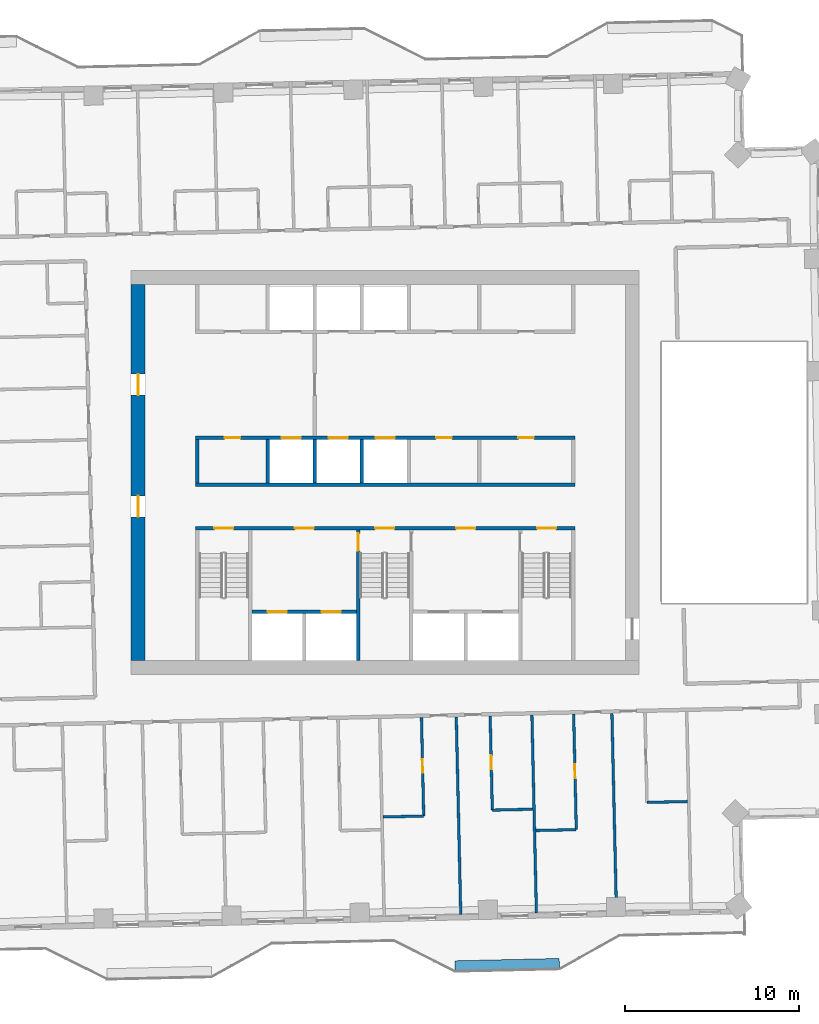
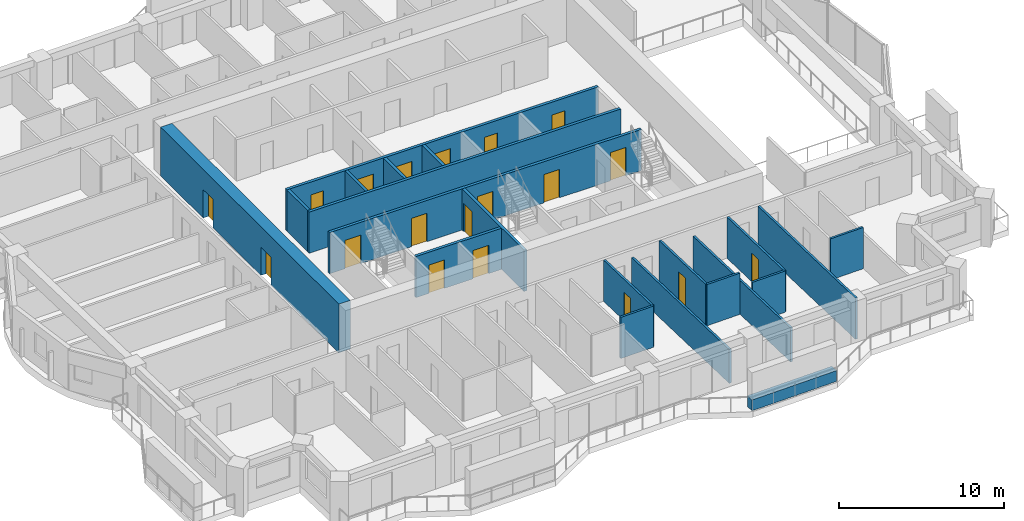
# One storey, part 8 of 16: 21 walls, 19 doors, 19 openings.
"""IFC4 building model written with IfcOpenShell, lengths in metres."""

import ifcopenshell
import ifcopenshell.guid

model = None  # the IFC model being written
_history = None  # IfcOwnerHistory: only IFC2X3 demands one
_inside = {}  # id of a spatial element -> (the spatial element, [elements in it])
_under = {}  # id of a project, library or spatial element -> (it, [spatial elements below it])
_declared = {}  # id of a project -> (the project, [libraries it declares])
_typed = {}  # id of a type object -> (the type object, [elements of that type])
_made_of = {}  # id of a material, layer set ... -> (it, [elements and type objects made of it])


def new_model(schema):
    """Start an empty IFC model of exactly this schema.

    Asked for "IFC4X3", IfcOpenShell would pick the latest addendum, in which some entities
    have other attributes; the version numbers below select the first issue.
    IFC2X3 requires an IfcOwnerHistory on every rooted entity: one is made here for all.
    """
    global model, _history
    if schema == "IFC4X3":
        model = ifcopenshell.file(schema_version=(4, 3, 0, 0))
    else:
        model = ifcopenshell.file(schema=schema)
    _inside.clear()
    _under.clear()
    _declared.clear()
    _typed.clear()
    _made_of.clear()
    _history = None
    if model.schema == "IFC2X3":
        org = make("IfcOrganization", Name="unknown")
        user = make(
            "IfcPersonAndOrganization",
            ThePerson=make("IfcPerson", FamilyName="unknown"),
            TheOrganization=org,
        )
        app = make(
            "IfcApplication",
            ApplicationDeveloper=org,
            Version="unknown",
            ApplicationFullName="unknown",
            ApplicationIdentifier="unknown",
        )
        _history = make(
            "IfcOwnerHistory",
            OwningUser=user,
            OwningApplication=app,
            ChangeAction="ADDED",
            CreationDate=0,
        )
    return model


def make(cls, **values):
    """One entity of the class cls with the attributes given. An attribute that is None is left unset."""
    return model.create_entity(
        cls, **{name: value for name, value in values.items() if value is not None}
    )


def rooted(cls, **values):
    """An entity with a GlobalId (a new one), such as an element, a storey or a relation."""
    return make(cls, GlobalId=ifcopenshell.guid.new(), OwnerHistory=_history, **values)


def si_unit(unit_type, name, prefix=None):
    """IfcSIUnit, for example si_unit("LENGTHUNIT", "METRE", prefix="MILLI")."""
    return make("IfcSIUnit", UnitType=unit_type, Prefix=prefix, Name=name)


def assignment(units):
    """IfcUnitAssignment: the units of a project."""
    return None if units is None else make("IfcUnitAssignment", Units=units)


def point(xyz):
    """IfcCartesianPoint."""
    return None if xyz is None else make("IfcCartesianPoint", Coordinates=xyz)


def direction(xyz):
    """IfcDirection."""
    return None if xyz is None else make("IfcDirection", DirectionRatios=xyz)


def frame(location, z_axis=None, x_axis=None):
    """IfcAxis2Placement3D, a coordinate frame: its origin and axes. An axis left out is left unset."""
    return make(
        "IfcAxis2Placement3D",
        Location=point(location),
        Axis=direction(z_axis),
        RefDirection=direction(x_axis),
    )


def frame_2d(location, x_axis=None):
    """IfcAxis2Placement2D, a coordinate frame in the plane: its origin and x axis."""
    return make(
        "IfcAxis2Placement2D", Location=point(location), RefDirection=direction(x_axis)
    )


def origin():
    """The frame at (0, 0, 0) with its axes left unset."""
    return frame((0.0, 0.0, 0.0))


def place(relative_to, where):
    """IfcLocalPlacement: puts the frame where relative to a parent placement (None: the world)."""
    return make(
        "IfcLocalPlacement", PlacementRelTo=relative_to, RelativePlacement=where
    )


def context(
    kind, dimensions, precision=None, world=None, true_north=None, identifier=None
):
    """IfcGeometricRepresentationContext, for example the 3D "Model" context."""
    return make(
        "IfcGeometricRepresentationContext",
        ContextIdentifier=identifier,
        ContextType=kind,
        CoordinateSpaceDimension=dimensions,
        Precision=precision,
        WorldCoordinateSystem=world,
        TrueNorth=true_north,
    )


def subcontext(parent, identifier, kind, view, scale=None):
    """IfcGeometricRepresentationSubContext, for example "Body" below "Model"."""
    return make(
        "IfcGeometricRepresentationSubContext",
        ContextIdentifier=identifier,
        ContextType=kind,
        ParentContext=parent,
        TargetScale=scale,
        TargetView=view,
    )


def project(units=None, contexts=None):
    """IfcProject with its units and contexts."""
    return rooted(
        "IfcProject",
        Name="project",
        RepresentationContexts=contexts,
        UnitsInContext=assignment(units),
    )


def spatial(cls, under=None, at=None, **own):
    """A site, building, storey or space (cls), placed at a placement, below another one or the project."""
    s = rooted(cls, ObjectPlacement=at, **own)
    if under is not None:
        _under.setdefault(under.id(), (under, []))[1].append(s)
    return s


def profile(cls, at=None, kind="AREA", **sizes):
    """A parametric profile (cls). Its sizes go by their IFC names, for example OverallWidth=200.0."""
    return make(cls, ProfileType=kind, Position=at, **sizes)


def rectangle(**sizes):
    """IfcRectangleProfileDef."""
    return profile("IfcRectangleProfileDef", **sizes)


def extrude(swept, where, along, depth):
    """IfcExtrudedAreaSolid: the profile swept, set in the frame where, extruded along a direction by depth."""
    return make(
        "IfcExtrudedAreaSolid",
        SweptArea=swept,
        Position=where,
        ExtrudedDirection=direction(along),
        Depth=depth,
    )


def shape(context_of_items, identifier, shape_type, items):
    """IfcShapeRepresentation: the items that make up one representation, for example the "Body"."""
    return make(
        "IfcShapeRepresentation",
        ContextOfItems=context_of_items,
        RepresentationIdentifier=identifier,
        RepresentationType=shape_type,
        Items=items,
    )


def material(Name=None, Category=None):
    """IfcMaterial."""
    return make("IfcMaterial", Name=Name, Category=Category)


def layer(
    of_material, thickness, ventilated=None, Name=None, Category=None, Priority=None
):
    """IfcMaterialLayer: one layer of a wall or slab, of a material (None: an air gap)."""
    return make(
        "IfcMaterialLayer",
        Material=of_material,
        LayerThickness=thickness,
        IsVentilated=ventilated,
        Name=Name,
        Category=Category,
        Priority=Priority,
    )


def layer_set(layers, Name=None):
    """IfcMaterialLayerSet."""
    return make("IfcMaterialLayerSet", MaterialLayers=layers, LayerSetName=Name)


def made_of(thing, what):
    """Note that an element or type object is made of a material, layer set ...; save() writes the relation."""
    if what is not None:
        _made_of.setdefault(what.id(), (what, []))[1].append(thing)
    return thing


def type_object(cls, material=None, **own):
    """A type object (cls), such as IfcWallType, which elements share."""
    return made_of(rooted(cls, **own), material)


def element(
    cls,
    number,
    at=None,
    inside=None,
    cuts=None,
    type_object=None,
    material=None,
    context=None,
    identifier="Body",
    shape_type=None,
    held_by="IfcProductDefinitionShape",
    body=None,
    shapes=None,
    **own,
):
    """One element of the class cls, such as IfcWall. Its Tag is "e" and its number.

    at: its placement. inside: the storey or other place that contains it. cuts: it is an
    opening in that element (IfcRelVoidsElement). A single representation is given by context,
    identifier, shape_type and body (its items); several are given by shapes. held_by: the class
    of the entity that holds the representations. save() writes the other relations.
    """
    e = rooted(cls, Tag="e%d" % number, ObjectPlacement=at, **own)
    if body is not None:
        shapes = [shape(context, identifier, shape_type, body)]
    if shapes is not None:
        e.Representation = make(held_by, Representations=shapes)
    if inside is not None:
        _inside.setdefault(inside.id(), (inside, []))[1].append(e)
    if cuts is not None:
        rooted(
            "IfcRelVoidsElement", RelatingBuildingElement=cuts, RelatedOpeningElement=e
        )
    if type_object is not None:
        _typed.setdefault(type_object.id(), (type_object, []))[1].append(e)
    return made_of(e, material)


def fill(opening, filler):
    """IfcRelFillsElement: the door or window that sits in an opening."""
    return rooted(
        "IfcRelFillsElement",
        RelatingOpeningElement=opening,
        RelatedBuildingElement=filler,
    )


def aggregate(whole, parts):
    """IfcRelAggregates: a whole, such as a stair, and the parts it consists of."""
    return rooted("IfcRelAggregates", RelatingObject=whole, RelatedObjects=parts)


def save(model, path):
    """Write the relations noted so far, then the file.

    IfcRelAggregates (storeys below a building ...), IfcRelContainedInSpatialStructure (elements
    in a storey), IfcRelDefinesByType, IfcRelAssociatesMaterial and IfcRelDeclares: one each for
    every whole, place, type object, material and project.
    """
    for whole, parts in _under.values():
        aggregate(whole, parts)
    for where, things in _inside.values():
        rooted(
            "IfcRelContainedInSpatialStructure",
            RelatedElements=things,
            RelatingStructure=where,
        )
    for kind, things in _typed.values():
        rooted("IfcRelDefinesByType", RelatedObjects=things, RelatingType=kind)
    for what, things in _made_of.values():
        rooted("IfcRelAssociatesMaterial", RelatedObjects=things, RelatingMaterial=what)
    for by, libraries in _declared.values():
        rooted("IfcRelDeclares", RelatingContext=by, RelatedDefinitions=libraries)
    model.write(path)


model = new_model("IFC4")

# Units and contexts
model_context = context("Model", 3, precision=1e-05, world=origin(), true_north=direction((0.0, 1.0)))
body_context = subcontext(model_context, "Body", "Model", "MODEL_VIEW")
ifc_project = project(units=[si_unit("LENGTHUNIT", "METRE"), si_unit("AREAUNIT", "SQUARE_METRE"), si_unit("VOLUMEUNIT", "CUBIC_METRE"), si_unit("PLANEANGLEUNIT", "RADIAN"), si_unit("MASSUNIT", "GRAM", prefix="KILO")], contexts=[model_context])

# Site, building, storey
site_placement = place(None, origin())
site = spatial("IfcSite", under=ifc_project, at=site_placement, CompositionType="ELEMENT")
building_placement = place(site_placement, origin())
building = spatial("IfcBuilding", under=site, at=building_placement, Name="Mangrove Gate Tower", CompositionType="ELEMENT")
storey_placement = place(building_placement, frame((0.0, 0.0, 231.10009765625)))
storey = spatial("IfcBuildingStorey", under=building, at=storey_placement, Name="L58", CompositionType="ELEMENT", Elevation=231.10009765625)

# Walls
ifc_material_1 = material(Name="Concrete C32/40", Category="concrete")
ifc_layer_1 = layer(ifc_material_1, 0.199951171875)
ifc_layer_set_1 = layer_set([ifc_layer_1], Name="Core room wall 200 C32/40")
wall_type_1 = type_object("IfcWallType", Name="Core room wall 200 C32/40", PredefinedType="STANDARD", material=ifc_layer_set_1)
wall_1_placement = place(storey_placement, frame((-10.800048828125, -0.60009765625, 0.0), z_axis=(0.0, 0.0, 1.0), x_axis=(0.0, 1.0, 0.0)))
element("IfcWall", 1, at=wall_1_placement, inside=storey, type_object=wall_type_1, Name="WALL-L58-CORE-19", PredefinedType="STANDARD", context=body_context, shape_type="SweptSolid", body=[
    extrude(rectangle(XDim=2.5, YDim=0.199951171875, at=frame_2d((1.25, 0.0))), origin(), (0.0, 0.0, 1.0), 3.0498046875),
])
ifc_material_2 = material(Name="Concrete C60/75", Category="concrete")
ifc_layer_2 = layer(ifc_material_2, 0.199951171875)
ifc_layer_set_2 = layer_set([ifc_layer_2], Name="Core shaft wall 200 C60/75")
wall_type_2 = type_object("IfcWallType", Name="Core shaft wall 200 C60/75", PredefinedType="SHEAR", material=ifc_layer_set_2)
wall_2_placement = place(storey_placement, frame((-10.89990234375, -0.699951171875, 0.0), z_axis=(0.0, 0.0, 1.0), x_axis=(1.0, 0.0, 0.0)))
element("IfcWall", 2, at=wall_2_placement, inside=storey, type_object=wall_type_2, Name="WALL-L58-CORE-6", PredefinedType="SHEAR", context=body_context, shape_type="SweptSolid", body=[
    extrude(rectangle(XDim=21.7998046875, YDim=0.199951171875, at=frame_2d((10.89990234375, 0.0))), origin(), (0.0, 0.0, 1.0), 3.0498046875),
])

# Wall, openings, doors
wall_3_placement = place(storey_placement, frame((-10.89990234375, 2.0, 0.0), z_axis=(0.0, 0.0, 1.0), x_axis=(1.0, 0.0, 0.0)))
wall_3 = element("IfcWall", 3, at=wall_3_placement, inside=storey, type_object=wall_type_2, Name="WALL-L58-CORE-7", PredefinedType="SHEAR", context=body_context, shape_type="SweptSolid", body=[
    extrude(rectangle(XDim=21.7998046875, YDim=0.199951171875, at=frame_2d((10.89990234375, 0.0))), origin(), (0.0, 0.0, 1.0), 3.0498046875),
])
opening_1_placement = place(wall_3_placement, frame((4.949951171875, 0.0, 0.0)))
opening_1 = element("IfcOpeningElement", 4, at=opening_1_placement, cuts=wall_3, Name="Opening LD", PredefinedType="OPENING", context=body_context, shape_type="SweptSolid", body=[
    extrude(rectangle(XDim=1.10009765625, YDim=2.10009765625, at=frame_2d((0.550048828125, 1.050048828125))), frame((0.0, 0.10986328125, 0.0), z_axis=(0.0, -1.0, 0.0), x_axis=(1.0, 0.0, 0.0)), (0.0, 0.0, 1.0), 0.219970703125),
])
opening_2_placement = place(wall_3_placement, frame((7.64990234375, 0.0, 0.0)))
opening_2 = element("IfcOpeningElement", 5, at=opening_2_placement, cuts=wall_3, Name="Opening LD", PredefinedType="OPENING", context=body_context, shape_type="SweptSolid", body=[
    extrude(rectangle(XDim=1.10009765625, YDim=2.10009765625, at=frame_2d((0.550048828125, 1.050048828125))), frame((0.0, 0.10986328125, 0.0), z_axis=(0.0, -1.0, 0.0), x_axis=(1.0, 0.0, 0.0)), (0.0, 0.0, 1.0), 0.219970703125),
])
opening_3_placement = place(wall_3_placement, frame((10.35009765625, 0.0, 0.0)))
opening_3 = element("IfcOpeningElement", 6, at=opening_3_placement, cuts=wall_3, Name="Opening LD", PredefinedType="OPENING", context=body_context, shape_type="SweptSolid", body=[
    extrude(rectangle(XDim=1.10009765625, YDim=2.10009765625, at=frame_2d((0.550048828125, 1.050048828125))), frame((0.0, 0.10986328125, 0.0), z_axis=(0.0, -1.0, 0.0), x_axis=(1.0, 0.0, 0.0)), (0.0, 0.0, 1.0), 0.219970703125),
])
opening_4_placement = place(wall_3_placement, frame((1.675048828125, 0.0, 0.0)))
opening_4 = element("IfcOpeningElement", 7, at=opening_4_placement, cuts=wall_3, Name="Opening RD", PredefinedType="OPENING", context=body_context, shape_type="SweptSolid", body=[
    extrude(rectangle(XDim=0.89990234375, YDim=2.10009765625, at=frame_2d((0.449951171875, 1.050048828125))), frame((0.0, 0.10986328125, 0.0), z_axis=(0.0, -1.0, 0.0), x_axis=(1.0, 0.0, 0.0)), (0.0, 0.0, 1.0), 0.219970703125),
])
opening_5_placement = place(wall_3_placement, frame((13.824951171875, 0.0, 0.0)))
opening_5 = element("IfcOpeningElement", 8, at=opening_5_placement, cuts=wall_3, Name="Opening KD", PredefinedType="OPENING", context=body_context, shape_type="SweptSolid", body=[
    extrude(rectangle(XDim=0.89990234375, YDim=2.10009765625, at=frame_2d((0.449951171875, 1.050048828125))), frame((0.0, 0.10986328125, 0.0), z_axis=(0.0, -1.0, 0.0), x_axis=(1.0, 0.0, 0.0)), (0.0, 0.0, 1.0), 0.219970703125),
])
opening_6_placement = place(wall_3_placement, frame((18.550048828125, 0.0, 0.0)))
opening_6 = element("IfcOpeningElement", 9, at=opening_6_placement, cuts=wall_3, Name="Opening KD", PredefinedType="OPENING", context=body_context, shape_type="SweptSolid", body=[
    extrude(rectangle(XDim=0.89990234375, YDim=2.10009765625, at=frame_2d((0.449951171875, 1.050048828125))), frame((0.0, 0.10986328125, 0.0), z_axis=(0.0, -1.0, 0.0), x_axis=(1.0, 0.0, 0.0)), (0.0, 0.0, 1.0), 0.219970703125),
])
ifc_material_3 = material(Name="Fire-rated steel door set", Category="steel")
door_type_1 = type_object("IfcDoorType", Name="Core room door FD30S 900x2100", OperationType="SINGLE_SWING_RIGHT", PredefinedType="DOOR", material=ifc_material_3)
door_1_placement = place(opening_5_placement, origin())
door_1 = element("IfcDoor", 10, at=door_1_placement, inside=storey, type_object=door_type_1, Name="Core room door Core WC", OperationType="SINGLE_SWING_RIGHT", OverallHeight=2.10009765625, OverallWidth=0.89990234375, PredefinedType="DOOR", context=body_context, shape_type="SweptSolid", body=[
    extrude(rectangle(XDim=0.89990234375, YDim=2.10009765625, at=frame_2d((0.449951171875, 1.050048828125))), frame((0.0, 0.02490234375, 0.0), z_axis=(0.0, -1.0, 0.0), x_axis=(1.0, 0.0, 0.0)), (0.0, 0.0, 1.0), 0.050048828125),
])
fill(opening_5, door_1)
door_2_placement = place(opening_6_placement, origin())
door_2 = element("IfcDoor", 11, at=door_2_placement, inside=storey, type_object=door_type_1, Name="Core room door Pantry store", OperationType="SINGLE_SWING_RIGHT", OverallHeight=2.10009765625, OverallWidth=0.89990234375, PredefinedType="DOOR", context=body_context, shape_type="SweptSolid", body=[
    extrude(rectangle(XDim=0.89990234375, YDim=2.10009765625, at=frame_2d((0.449951171875, 1.050048828125))), frame((0.0, 0.02490234375, 0.0), z_axis=(0.0, -1.0, 0.0), x_axis=(1.0, 0.0, 0.0)), (0.0, 0.0, 1.0), 0.050048828125),
])
fill(opening_6, door_2)
ifc_material_4 = material(Name="Stainless steel 316", Category="steel")
door_type_2 = type_object("IfcDoorType", Name="Lift landing door 1100x2100", OperationType="SLIDING_TO_LEFT", PredefinedType="DOOR", material=ifc_material_4)
door_3_placement = place(opening_1_placement, origin())
door_3 = element("IfcDoor", 12, at=door_3_placement, inside=storey, type_object=door_type_2, Name="Landing door LD H01", OperationType="SLIDING_TO_LEFT", OverallHeight=2.10009765625, OverallWidth=1.10009765625, PredefinedType="DOOR", context=body_context, shape_type="SweptSolid", body=[
    extrude(rectangle(XDim=1.10009765625, YDim=2.10009765625, at=frame_2d((0.550048828125, 1.050048828125))), frame((0.0, 0.02490234375, 0.0), z_axis=(0.0, -1.0, 0.0), x_axis=(1.0, 0.0, 0.0)), (0.0, 0.0, 1.0), 0.050048828125),
])
fill(opening_1, door_3)
door_4_placement = place(opening_2_placement, origin())
door_4 = element("IfcDoor", 13, at=door_4_placement, inside=storey, type_object=door_type_2, Name="Landing door LD H02", OperationType="SLIDING_TO_LEFT", OverallHeight=2.10009765625, OverallWidth=1.10009765625, PredefinedType="DOOR", context=body_context, shape_type="SweptSolid", body=[
    extrude(rectangle(XDim=1.10009765625, YDim=2.10009765625, at=frame_2d((0.550048828125, 1.050048828125))), frame((0.0, 0.02490234375, 0.0), z_axis=(0.0, -1.0, 0.0), x_axis=(1.0, 0.0, 0.0)), (0.0, 0.0, 1.0), 0.050048828125),
])
fill(opening_2, door_4)
door_5_placement = place(opening_3_placement, origin())
door_5 = element("IfcDoor", 14, at=door_5_placement, inside=storey, type_object=door_type_2, Name="Landing door LD H03", OperationType="SLIDING_TO_LEFT", OverallHeight=2.10009765625, OverallWidth=1.10009765625, PredefinedType="DOOR", context=body_context, shape_type="SweptSolid", body=[
    extrude(rectangle(XDim=1.10009765625, YDim=2.10009765625, at=frame_2d((0.550048828125, 1.050048828125))), frame((0.0, 0.02490234375, 0.0), z_axis=(0.0, -1.0, 0.0), x_axis=(1.0, 0.0, 0.0)), (0.0, 0.0, 1.0), 0.050048828125),
])
fill(opening_3, door_5)
ifc_material_5 = material(Name="Fire-rated steel door set", Category="steel")
door_type_3 = type_object("IfcDoorType", Name="Riser door FD30S 900x2100", OperationType="SINGLE_SWING_LEFT", PredefinedType="DOOR", material=ifc_material_5)
door_6_placement = place(opening_4_placement, origin())
door_6 = element("IfcDoor", 15, at=door_6_placement, inside=storey, type_object=door_type_3, Name="Riser door Comms room", OperationType="SINGLE_SWING_LEFT", OverallHeight=2.10009765625, OverallWidth=0.89990234375, PredefinedType="DOOR", context=body_context, shape_type="SweptSolid", body=[
    extrude(rectangle(XDim=0.89990234375, YDim=2.10009765625, at=frame_2d((0.449951171875, 1.050048828125))), frame((0.0, 0.02490234375, 0.0), z_axis=(0.0, -1.0, 0.0), x_axis=(1.0, 0.0, 0.0)), (0.0, 0.0, 1.0), 0.050048828125),
])
fill(opening_4, door_6)

wall_4_placement = place(storey_placement, frame((-7.64990234375, -8.0, 0.0), z_axis=(0.0, 0.0, 1.0), x_axis=(1.0, 0.0, 0.0)))
wall_4 = element("IfcWall", 16, at=wall_4_placement, inside=storey, type_object=wall_type_2, Name="WALL-L58-CORE-15", PredefinedType="SHEAR", context=body_context, shape_type="SweptSolid", body=[
    extrude(rectangle(XDim=6.0, YDim=0.199951171875, at=frame_2d((3.0, 0.0))), origin(), (0.0, 0.0, 1.0), 3.0498046875),
])
opening_7_placement = place(wall_4_placement, frame((0.89990234375, 0.0, 0.0)))
opening_7 = element("IfcOpeningElement", 17, at=opening_7_placement, cuts=wall_4, Name="Opening LD", PredefinedType="OPENING", context=body_context, shape_type="SweptSolid", body=[
    extrude(rectangle(XDim=1.10009765625, YDim=2.10009765625, at=frame_2d((0.550048828125, 1.050048828125))), frame((0.0, 0.10986328125, 0.0), z_axis=(0.0, -1.0, 0.0), x_axis=(1.0, 0.0, 0.0)), (0.0, 0.0, 1.0), 0.219970703125),
])
opening_8_placement = place(wall_4_placement, frame((4.0, 0.0, 0.0)))
opening_8 = element("IfcOpeningElement", 18, at=opening_8_placement, cuts=wall_4, Name="Opening LD", PredefinedType="OPENING", context=body_context, shape_type="SweptSolid", body=[
    extrude(rectangle(XDim=1.10009765625, YDim=2.10009765625, at=frame_2d((0.550048828125, 1.050048828125))), frame((0.0, 0.10986328125, 0.0), z_axis=(0.0, -1.0, 0.0), x_axis=(1.0, 0.0, 0.0)), (0.0, 0.0, 1.0), 0.219970703125),
])
door_7_placement = place(opening_7_placement, origin())
door_7 = element("IfcDoor", 19, at=door_7_placement, inside=storey, type_object=door_type_2, Name="Landing door LD SVL1", OperationType="SLIDING_TO_LEFT", OverallHeight=2.10009765625, OverallWidth=1.10009765625, PredefinedType="DOOR", context=body_context, shape_type="SweptSolid", body=[
    extrude(rectangle(XDim=1.10009765625, YDim=2.10009765625, at=frame_2d((0.550048828125, 1.050048828125))), frame((0.0, 0.02490234375, 0.0), z_axis=(0.0, -1.0, 0.0), x_axis=(1.0, 0.0, 0.0)), (0.0, 0.0, 1.0), 0.050048828125),
])
fill(opening_7, door_7)
door_8_placement = place(opening_8_placement, origin())
door_8 = element("IfcDoor", 20, at=door_8_placement, inside=storey, type_object=door_type_2, Name="Landing door LD SVL2", OperationType="SLIDING_TO_LEFT", OverallHeight=2.10009765625, OverallWidth=1.10009765625, PredefinedType="DOOR", context=body_context, shape_type="SweptSolid", body=[
    extrude(rectangle(XDim=1.10009765625, YDim=2.10009765625, at=frame_2d((0.550048828125, 1.050048828125))), frame((0.0, 0.02490234375, 0.0), z_axis=(0.0, -1.0, 0.0), x_axis=(1.0, 0.0, 0.0)), (0.0, 0.0, 1.0), 0.050048828125),
])
fill(opening_8, door_8)

# Walls
for number, where, z_axis, x_axis, name in (
    (21, (-6.75, -0.60009765625, 0.0), (0.0, 0.0, 1.0), (0.0, 1.0, 0.0), "WALL-L58-CORE-20"),
    (22, (-4.050048828125, -0.60009765625, 0.0), (0.0, 0.0, 1.0), (0.0, 1.0, 0.0), "WALL-L58-CORE-21"),
    (23, (-1.35009765625, -0.60009765625, 0.0), (0.0, 0.0, 1.0), (0.0, 1.0, 0.0), "WALL-L58-CORE-22"),
):
    element("IfcWall", number, at=place(storey_placement, frame(where, z_axis=z_axis, x_axis=x_axis)), inside=storey, type_object=wall_type_2, Name=name, PredefinedType="SHEAR", context=body_context, shape_type="SweptSolid", body=[
        extrude(rectangle(XDim=2.5, YDim=0.199951171875, at=frame_2d((1.25, 0.0))), origin(), (0.0, 0.0, 1.0), 3.0498046875),
    ])

# Wall, openings, doors
ifc_material_6 = material(Name="Concrete C60/75", Category="concrete")
ifc_layer_3 = layer(ifc_material_6, 0.199951171875)
ifc_layer_set_3 = layer_set([ifc_layer_3], Name="Core stair wall 200 C60/75")
wall_type_3 = type_object("IfcWallType", Name="Core stair wall 200 C60/75", PredefinedType="SHEAR", material=ifc_layer_set_3)
wall_5_placement = place(storey_placement, frame((-10.89990234375, -3.199951171875, 0.0), z_axis=(0.0, 0.0, 1.0), x_axis=(1.0, 0.0, 0.0)))
wall_5 = element("IfcWall", 24, at=wall_5_placement, inside=storey, type_object=wall_type_3, Name="WALL-L58-CORE-5", PredefinedType="SHEAR", context=body_context, shape_type="SweptSolid", body=[
    extrude(rectangle(XDim=21.7998046875, YDim=0.199951171875, at=frame_2d((10.89990234375, 0.0))), origin(), (0.0, 0.0, 1.0), 3.0498046875),
])
opening_9_placement = place(wall_5_placement, frame((1.074951171875, 0.0, 0.0)))
opening_9 = element("IfcOpeningElement", 25, at=opening_9_placement, cuts=wall_5, Name="Opening STD11", PredefinedType="OPENING", context=body_context, shape_type="SweptSolid", body=[
    extrude(rectangle(XDim=1.10009765625, YDim=2.10009765625, at=frame_2d((0.550048828125, 1.050048828125))), frame((0.0, 0.10986328125, 0.0), z_axis=(0.0, -1.0, 0.0), x_axis=(1.0, 0.0, 0.0)), (0.0, 0.0, 1.0), 0.219970703125),
])
opening_10_placement = place(wall_5_placement, frame((10.324951171875, 0.0, 0.0)))
opening_10 = element("IfcOpeningElement", 26, at=opening_10_placement, cuts=wall_5, Name="Opening STD11", PredefinedType="OPENING", context=body_context, shape_type="SweptSolid", body=[
    extrude(rectangle(XDim=1.10009765625, YDim=2.10009765625, at=frame_2d((0.550048828125, 1.050048828125))), frame((0.0, 0.10986328125, 0.0), z_axis=(0.0, -1.0, 0.0), x_axis=(1.0, 0.0, 0.0)), (0.0, 0.0, 1.0), 0.219970703125),
])
opening_11_placement = place(wall_5_placement, frame((19.625, 0.0, 0.0)))
opening_11 = element("IfcOpeningElement", 27, at=opening_11_placement, cuts=wall_5, Name="Opening STD11", PredefinedType="OPENING", context=body_context, shape_type="SweptSolid", body=[
    extrude(rectangle(XDim=1.10009765625, YDim=2.10009765625, at=frame_2d((0.550048828125, 1.050048828125))), frame((0.0, 0.10986328125, 0.0), z_axis=(0.0, -1.0, 0.0), x_axis=(1.0, 0.0, 0.0)), (0.0, 0.0, 1.0), 0.219970703125),
])
opening_12_placement = place(wall_5_placement, frame((5.699951171875, 0.0, 0.0)))
opening_12 = element("IfcOpeningElement", 28, at=opening_12_placement, cuts=wall_5, Name="Opening FL", PredefinedType="OPENING", context=body_context, shape_type="SweptSolid", body=[
    extrude(rectangle(XDim=1.10009765625, YDim=2.10009765625, at=frame_2d((0.550048828125, 1.050048828125))), frame((0.0, 0.10986328125, 0.0), z_axis=(0.0, -1.0, 0.0), x_axis=(1.0, 0.0, 0.0)), (0.0, 0.0, 1.0), 0.219970703125),
])
opening_13_placement = place(wall_5_placement, frame((14.97509765625, 0.0, 0.0)))
opening_13 = element("IfcOpeningElement", 29, at=opening_13_placement, cuts=wall_5, Name="Opening FL", PredefinedType="OPENING", context=body_context, shape_type="SweptSolid", body=[
    extrude(rectangle(XDim=1.10009765625, YDim=2.10009765625, at=frame_2d((0.550048828125, 1.050048828125))), frame((0.0, 0.10986328125, 0.0), z_axis=(0.0, -1.0, 0.0), x_axis=(1.0, 0.0, 0.0)), (0.0, 0.0, 1.0), 0.219970703125),
])
ifc_material_7 = material(Name="Fire-rated steel door set", Category="steel")
door_type_4 = type_object("IfcDoorType", Name="Lobby door FD60 1100x2100", OperationType="SINGLE_SWING_LEFT", PredefinedType="DOOR", material=ifc_material_7)
door_9_placement = place(opening_12_placement, origin())
door_9 = element("IfcDoor", 30, at=door_9_placement, inside=storey, type_object=door_type_4, Name="Lobby door service lobby", OperationType="SINGLE_SWING_LEFT", OverallHeight=2.10009765625, OverallWidth=1.10009765625, PredefinedType="DOOR", context=body_context, shape_type="SweptSolid", body=[
    extrude(rectangle(XDim=1.10009765625, YDim=2.10009765625, at=frame_2d((0.550048828125, 1.050048828125))), frame((0.0, 0.02490234375, 0.0), z_axis=(0.0, -1.0, 0.0), x_axis=(1.0, 0.0, 0.0)), (0.0, 0.0, 1.0), 0.050048828125),
])
fill(opening_12, door_9)
door_10_placement = place(opening_13_placement, origin())
door_10 = element("IfcDoor", 31, at=door_10_placement, inside=storey, type_object=door_type_4, Name="Lobby door fire-fighting lobby", OperationType="SINGLE_SWING_LEFT", OverallHeight=2.10009765625, OverallWidth=1.10009765625, PredefinedType="DOOR", context=body_context, shape_type="SweptSolid", body=[
    extrude(rectangle(XDim=1.10009765625, YDim=2.10009765625, at=frame_2d((0.550048828125, 1.050048828125))), frame((0.0, 0.02490234375, 0.0), z_axis=(0.0, -1.0, 0.0), x_axis=(1.0, 0.0, 0.0)), (0.0, 0.0, 1.0), 0.050048828125),
])
fill(opening_13, door_10)
ifc_material_8 = material(Name="Fire-rated steel door set", Category="steel")
door_type_5 = type_object("IfcDoorType", Name="Stair door FD60 1100x2100", OperationType="SINGLE_SWING_RIGHT", PredefinedType="DOOR", material=ifc_material_8)
door_11_placement = place(opening_9_placement, origin())
door_11 = element("IfcDoor", 32, at=door_11_placement, inside=storey, type_object=door_type_5, Name="Stair door Stair 1", OperationType="SINGLE_SWING_RIGHT", OverallHeight=2.10009765625, OverallWidth=1.10009765625, PredefinedType="DOOR", context=body_context, shape_type="SweptSolid", body=[
    extrude(rectangle(XDim=1.10009765625, YDim=2.10009765625, at=frame_2d((0.550048828125, 1.050048828125))), frame((0.0, 0.02490234375, 0.0), z_axis=(0.0, -1.0, 0.0), x_axis=(1.0, 0.0, 0.0)), (0.0, 0.0, 1.0), 0.050048828125),
])
fill(opening_9, door_11)
door_12_placement = place(opening_10_placement, origin())
door_12 = element("IfcDoor", 33, at=door_12_placement, inside=storey, type_object=door_type_5, Name="Stair door Stair 2", OperationType="SINGLE_SWING_RIGHT", OverallHeight=2.10009765625, OverallWidth=1.10009765625, PredefinedType="DOOR", context=body_context, shape_type="SweptSolid", body=[
    extrude(rectangle(XDim=1.10009765625, YDim=2.10009765625, at=frame_2d((0.550048828125, 1.050048828125))), frame((0.0, 0.02490234375, 0.0), z_axis=(0.0, -1.0, 0.0), x_axis=(1.0, 0.0, 0.0)), (0.0, 0.0, 1.0), 0.050048828125),
])
fill(opening_10, door_12)
door_13_placement = place(opening_11_placement, origin())
door_13 = element("IfcDoor", 34, at=door_13_placement, inside=storey, type_object=door_type_5, Name="Stair door Stair 3", OperationType="SINGLE_SWING_RIGHT", OverallHeight=2.10009765625, OverallWidth=1.10009765625, PredefinedType="DOOR", context=body_context, shape_type="SweptSolid", body=[
    extrude(rectangle(XDim=1.10009765625, YDim=2.10009765625, at=frame_2d((0.550048828125, 1.050048828125))), frame((0.0, 0.02490234375, 0.0), z_axis=(0.0, -1.0, 0.0), x_axis=(1.0, 0.0, 0.0)), (0.0, 0.0, 1.0), 0.050048828125),
])
fill(opening_11, door_13)

# Wall, opening, door
wall_6_placement = place(storey_placement, frame((-1.550048828125, -10.800048828125, 0.0), z_axis=(0.0, 0.0, 1.0), x_axis=(0.0, 1.0, 0.0)))
wall_6 = element("IfcWall", 35, at=wall_6_placement, inside=storey, type_object=wall_type_3, Name="WALL-L58-CORE-11", PredefinedType="SHEAR", context=body_context, shape_type="SweptSolid", body=[
    extrude(rectangle(XDim=7.5, YDim=0.199951171875, at=frame_2d((3.75, 0.0))), origin(), (0.0, 0.0, 1.0), 3.0498046875),
])
opening_14_placement = place(wall_6_placement, frame((6.300048828125, 0.0, 0.0)))
opening_14 = element("IfcOpeningElement", 36, at=opening_14_placement, cuts=wall_6, Name="Opening STD10", PredefinedType="OPENING", context=body_context, shape_type="SweptSolid", body=[
    extrude(rectangle(XDim=1.0, YDim=2.10009765625, at=frame_2d((0.5, 1.050048828125))), frame((0.0, 0.10986328125, 0.0), z_axis=(0.0, -1.0, 0.0), x_axis=(1.0, 0.0, 0.0)), (0.0, 0.0, 1.0), 0.219970703125),
])
ifc_material_9 = material(Name="Fire-rated steel door set", Category="steel")
door_type_6 = type_object("IfcDoorType", Name="Stair door FD60 1000x2100", OperationType="SINGLE_SWING_RIGHT", PredefinedType="DOOR", material=ifc_material_9)
door_14_placement = place(opening_14_placement, origin())
door_14 = element("IfcDoor", 37, at=door_14_placement, inside=storey, type_object=door_type_6, Name="Stair door Stair 2 from service lobby", OperationType="SINGLE_SWING_RIGHT", OverallHeight=2.10009765625, OverallWidth=1.0, PredefinedType="DOOR", context=body_context, shape_type="SweptSolid", body=[
    extrude(rectangle(XDim=1.0, YDim=2.10009765625, at=frame_2d((0.5, 1.050048828125))), frame((0.0, 0.02490234375, 0.0), z_axis=(0.0, -1.0, 0.0), x_axis=(1.0, 0.0, 0.0)), (0.0, 0.0, 1.0), 0.050048828125),
])
fill(opening_14, door_14)

# Wall, openings, doors
ifc_material_10 = material(Name="Concrete C60/75", Category="concrete")
ifc_layer_4 = layer(ifc_material_10, 0.800048828125)
ifc_layer_set_4 = layer_set([ifc_layer_4], Name="Core wall 800 C60/75")
wall_type_4 = type_object("IfcWallType", Name="Core wall 800 C60/75", PredefinedType="SHEAR", material=ifc_layer_set_4)
wall_7_placement = place(storey_placement, frame((-14.199951171875, -10.800048828125, 0.0), z_axis=(0.0, 0.0, 1.0), x_axis=(0.0, 1.0, 0.0)))
wall_7 = element("IfcWall", 38, at=wall_7_placement, inside=storey, type_object=wall_type_4, Name="WALL-L58-CORE-3", PredefinedType="SHEAR", context=body_context, shape_type="SweptSolid", body=[
    extrude(rectangle(XDim=21.60009765625, YDim=0.800048828125, at=frame_2d((10.800048828125, 0.0))), origin(), (0.0, 0.0, 1.0), 3.599853515625),
])
opening_15_placement = place(wall_7_placement, frame((8.25, 0.0, 0.0)))
opening_15 = element("IfcOpeningElement", 39, at=opening_15_placement, cuts=wall_7, Name="Opening CD", PredefinedType="OPENING", context=body_context, shape_type="SweptSolid", body=[
    extrude(rectangle(XDim=1.199951171875, YDim=2.10009765625, at=frame_2d((0.60009765625, 1.050048828125))), frame((0.0, 0.409912109375, 0.0), z_axis=(0.0, -1.0, 0.0), x_axis=(1.0, 0.0, 0.0)), (0.0, 0.0, 1.0), 0.820068359375),
])
opening_16_placement = place(wall_7_placement, frame((15.25, 0.0, 0.0)))
opening_16 = element("IfcOpeningElement", 40, at=opening_16_placement, cuts=wall_7, Name="Opening CD", PredefinedType="OPENING", context=body_context, shape_type="SweptSolid", body=[
    extrude(rectangle(XDim=1.199951171875, YDim=2.10009765625, at=frame_2d((0.60009765625, 1.050048828125))), frame((0.0, 0.409912109375, 0.0), z_axis=(0.0, -1.0, 0.0), x_axis=(1.0, 0.0, 0.0)), (0.0, 0.0, 1.0), 0.820068359375),
])
ifc_material_11 = material(Name="Fire-rated steel door set", Category="steel")
door_type_7 = type_object("IfcDoorType", Name="Core ring door FD60 1200x2100", OperationType="DOUBLE_DOOR_SINGLE_SWING", PredefinedType="DOOR", material=ifc_material_11)
door_15_placement = place(opening_15_placement, origin())
door_15 = element("IfcDoor", 41, at=door_15_placement, inside=storey, type_object=door_type_7, Name="Core ring door W1", OperationType="DOUBLE_DOOR_SINGLE_SWING", OverallHeight=2.10009765625, OverallWidth=1.199951171875, PredefinedType="DOOR", context=body_context, shape_type="SweptSolid", body=[
    extrude(rectangle(XDim=1.199951171875, YDim=2.10009765625, at=frame_2d((0.60009765625, 1.050048828125))), frame((0.0, 0.02490234375, 0.0), z_axis=(0.0, -1.0, 0.0), x_axis=(1.0, 0.0, 0.0)), (0.0, 0.0, 1.0), 0.050048828125),
])
fill(opening_15, door_15)
door_16_placement = place(opening_16_placement, origin())
door_16 = element("IfcDoor", 42, at=door_16_placement, inside=storey, type_object=door_type_7, Name="Core ring door W2", OperationType="DOUBLE_DOOR_SINGLE_SWING", OverallHeight=2.10009765625, OverallWidth=1.199951171875, PredefinedType="DOOR", context=body_context, shape_type="SweptSolid", body=[
    extrude(rectangle(XDim=1.199951171875, YDim=2.10009765625, at=frame_2d((0.60009765625, 1.050048828125))), frame((0.0, 0.02490234375, 0.0), z_axis=(0.0, -1.0, 0.0), x_axis=(1.0, 0.0, 0.0)), (0.0, 0.0, 1.0), 0.050048828125),
])
fill(opening_16, door_16)

# Walls
ifc_material_12 = material(Name="Gypsum board on steel stud, EI 60", Category="steel")
ifc_layer_5 = layer(ifc_material_12, 0.14990234375)
ifc_layer_set_5 = layer_set([ifc_layer_5], Name="Party wall 150 EI 60")
wall_type_5 = type_object("IfcWallType", Name="Party wall 150 EI 60", PredefinedType="PARTITIONING", material=ifc_layer_set_5)
wall_8_placement = place(storey_placement, frame((4.341064453125, -25.4208984375, 0.0), z_axis=(0.0, 0.0, 1.0), x_axis=(-0.022684842063, 0.99974266586, 0.0)))
element("IfcWall", 43, at=wall_8_placement, inside=storey, type_object=wall_type_5, Name="WALL-L58-006", PredefinedType="PARTITIONING", context=body_context, shape_type="SweptSolid", body=[
    extrude(rectangle(XDim=11.375732421875, YDim=0.14990234375, at=frame_2d((5.68798828125, 0.0))), origin(), (0.0, 0.0, 1.0), 2.5),
])
wall_9_placement = place(storey_placement, frame((8.68994140625, -25.322998046875, 0.0), z_axis=(0.0, 0.0, 1.0), x_axis=(-0.022684355347, 0.999742676904, 0.0)))
element("IfcWall", 44, at=wall_9_placement, inside=storey, type_object=wall_type_5, Name="WALL-L58-007", PredefinedType="PARTITIONING", context=body_context, shape_type="SweptSolid", body=[
    extrude(rectangle(XDim=11.3759765625, YDim=0.14990234375, at=frame_2d((5.68798828125, 0.0))), origin(), (0.0, 0.0, 1.0), 2.5),
])
wall_10_placement = place(storey_placement, frame((13.2890625, -25.218017578125, 0.0), z_axis=(0.0, 0.0, 1.0), x_axis=(-0.022770155219, 0.999740726404, 0.0)))
element("IfcWall", 45, at=wall_10_placement, inside=storey, type_object=wall_type_5, Name="WALL-L58-008", PredefinedType="PARTITIONING", context=body_context, shape_type="SweptSolid", body=[
    extrude(rectangle(XDim=11.3759765625, YDim=0.14990234375, at=frame_2d((5.68798828125, 0.0))), origin(), (0.0, 0.0, 1.0), 3.0498046875),
])

# Wall, opening, door
wall_11_placement = place(storey_placement, frame((10.98193359375, -20.532958984375, 0.0), z_axis=(0.0, 0.0, 1.0), x_axis=(-0.02272391111, 0.999741778593, 0.0)))
wall_11 = element("IfcWall", 46, at=wall_11_placement, inside=storey, type_object=wall_type_5, Name="WALL-L58-011", PredefinedType="PARTITIONING", context=body_context, shape_type="SweptSolid", body=[
    extrude(rectangle(XDim=6.6396484375, YDim=0.14990234375, at=frame_2d((3.31982421875, 0.0))), origin(), (0.0, 0.0, 1.0), 3.0498046875),
])
opening_17_placement = place(wall_11_placement, frame((2.969970703125, 0.0, 0.0)))
opening_17 = element("IfcOpeningElement", 47, at=opening_17_placement, cuts=wall_11, Name="Opening ED", PredefinedType="OPENING", context=body_context, shape_type="SweptSolid", body=[
    extrude(rectangle(XDim=0.800048828125, YDim=2.10009765625, at=frame_2d((0.39990234375, 1.050048828125))), frame((0.0, 0.0849609375, 0.0), z_axis=(0.0, -1.0, 0.0), x_axis=(1.0, 0.0, 0.0)), (0.0, 0.0, 1.0), 0.169921875),
])
ifc_material_13 = material(Name="Timber door leaf", Category="wood")
door_type_8 = type_object("IfcDoorType", Name="En-suite door 800", OperationType="SINGLE_SWING_LEFT", PredefinedType="DOOR", material=ifc_material_13)
door_17_placement = place(opening_17_placement, origin())
door_17 = element("IfcDoor", 48, at=door_17_placement, inside=storey, type_object=door_type_8, Name="DOOR-L58-ENS-c207", OperationType="SINGLE_SWING_LEFT", OverallHeight=2.10009765625, OverallWidth=0.800048828125, PredefinedType="DOOR", context=body_context, shape_type="SweptSolid", body=[
    extrude(rectangle(XDim=0.800048828125, YDim=2.10009765625, at=frame_2d((0.39990234375, 1.050048828125))), frame((0.0, 0.02490234375, 0.0), z_axis=(0.0, -1.0, 0.0), x_axis=(1.0, 0.0, 0.0)), (0.0, 0.0, 1.0), 0.050048828125),
])
fill(opening_17, door_17)

# Wall
wall_12_placement = place(storey_placement, frame((8.653076171875, -20.58203125, 0.0), z_axis=(0.0, 0.0, 1.0), x_axis=(0.999749954681, 0.022361308448, 0.0)))
element("IfcWall", 49, at=wall_12_placement, inside=storey, type_object=wall_type_5, Name="WALL-L58-013", PredefinedType="PARTITIONING", context=body_context, shape_type="SweptSolid", body=[
    extrude(rectangle(XDim=2.325439453125, YDim=0.14990234375, at=frame_2d((1.16259765625, 0.0))), origin(), (0.0, 0.0, 1.0), 3.0498046875),
])

# Wall, opening, door
wall_13_placement = place(storey_placement, frame((2.2119140625, -19.751953125, 0.0), z_axis=(0.0, 0.0, 1.0), x_axis=(-0.022777260759, 0.999740564543, 0.0)))
wall_13 = element("IfcWall", 50, at=wall_13_placement, inside=storey, type_object=wall_type_5, Name="WALL-L58-019", PredefinedType="PARTITIONING", context=body_context, shape_type="SweptSolid", body=[
    extrude(rectangle(XDim=5.659423828125, YDim=0.14990234375, at=frame_2d((2.82958984375, 0.0))), origin(), (0.0, 0.0, 1.0), 3.0498046875),
])
opening_18_placement = place(wall_13_placement, frame((2.47998046875, 0.0, 0.0)))
opening_18 = element("IfcOpeningElement", 51, at=opening_18_placement, cuts=wall_13, Name="Opening ED", PredefinedType="OPENING", context=body_context, shape_type="SweptSolid", body=[
    extrude(rectangle(XDim=0.800048828125, YDim=2.10009765625, at=frame_2d((0.39990234375, 1.050048828125))), frame((0.0, 0.0849609375, 0.0), z_axis=(0.0, -1.0, 0.0), x_axis=(1.0, 0.0, 0.0)), (0.0, 0.0, 1.0), 0.169921875),
])
door_18_placement = place(opening_18_placement, origin())
door_18 = element("IfcDoor", 52, at=door_18_placement, inside=storey, type_object=door_type_8, Name="DOOR-L58-ENS-c205", OperationType="SINGLE_SWING_LEFT", OverallHeight=2.10009765625, OverallWidth=0.800048828125, PredefinedType="DOOR", context=body_context, shape_type="SweptSolid", body=[
    extrude(rectangle(XDim=0.800048828125, YDim=2.10009765625, at=frame_2d((0.39990234375, 1.050048828125))), frame((0.0, 0.02490234375, 0.0), z_axis=(0.0, -1.0, 0.0), x_axis=(1.0, 0.0, 0.0)), (0.0, 0.0, 1.0), 0.050048828125),
])
fill(opening_18, door_18)

# Wall
wall_14_placement = place(storey_placement, frame((-0.116943359375, -19.801025390625, 0.0), z_axis=(0.0, 0.0, 1.0), x_axis=(0.999740478815, 0.022781023197, 0.0)))
element("IfcWall", 53, at=wall_14_placement, inside=storey, type_object=wall_type_5, Name="WALL-L58-020", PredefinedType="PARTITIONING", context=body_context, shape_type="SweptSolid", body=[
    extrude(rectangle(XDim=2.325439453125, YDim=0.14990234375, at=frame_2d((1.16259765625, 0.0))), origin(), (0.0, 0.0, 1.0), 3.0498046875),
])

# Wall, opening, door
wall_15_placement = place(storey_placement, frame((6.155029296875, -19.4130859375, 0.0), z_axis=(0.0, 0.0, 1.0), x_axis=(-0.022741905136, 0.999741369431, 0.0)))
wall_15 = element("IfcWall", 54, at=wall_15_placement, inside=storey, type_object=wall_type_5, Name="WALL-L58-021", PredefinedType="PARTITIONING", context=body_context, shape_type="SweptSolid", body=[
    extrude(rectangle(XDim=5.41064453125, YDim=0.14990234375, at=frame_2d((2.705322265625, 0.0))), origin(), (0.0, 0.0, 1.0), 3.0498046875),
])
opening_19_placement = place(wall_15_placement, frame((2.35498046875, 0.0, 0.0)))
opening_19 = element("IfcOpeningElement", 55, at=opening_19_placement, cuts=wall_15, Name="Opening ED", PredefinedType="OPENING", context=body_context, shape_type="SweptSolid", body=[
    extrude(rectangle(XDim=0.800048828125, YDim=2.10009765625, at=frame_2d((0.39990234375, 1.050048828125))), frame((0.0, 0.0849609375, 0.0), z_axis=(0.0, -1.0, 0.0), x_axis=(1.0, 0.0, 0.0)), (0.0, 0.0, 1.0), 0.169921875),
])
door_19_placement = place(opening_19_placement, origin())
door_19 = element("IfcDoor", 56, at=door_19_placement, inside=storey, type_object=door_type_8, Name="DOOR-L58-ENS-c206", OperationType="SINGLE_SWING_RIGHT", OverallHeight=2.10009765625, OverallWidth=0.800048828125, PredefinedType="DOOR", context=body_context, shape_type="SweptSolid", body=[
    extrude(rectangle(XDim=0.800048828125, YDim=2.10009765625, at=frame_2d((0.39990234375, 1.050048828125))), frame((0.0, 0.02490234375, 0.0), z_axis=(0.0, -1.0, 0.0), x_axis=(1.0, 0.0, 0.0)), (0.0, 0.0, 1.0), 0.050048828125),
])
fill(opening_19, door_19)

# Walls
wall_16_placement = place(storey_placement, frame((6.15087890625, -19.408935546875, 0.0), z_axis=(0.0, 0.0, 1.0), x_axis=(0.99974031529, 0.022788198363, 0.0)))
element("IfcWall", 57, at=wall_16_placement, inside=storey, type_object=wall_type_5, Name="WALL-L58-022", PredefinedType="PARTITIONING", context=body_context, shape_type="SweptSolid", body=[
    extrude(rectangle(XDim=2.32470703125, YDim=0.14990234375, at=frame_2d((1.162353515625, 0.0))), origin(), (0.0, 0.0, 1.0), 3.0498046875),
])
wall_17_placement = place(storey_placement, frame((15.04296875, -18.967041015625, 0.0), z_axis=(0.0, 0.0, 1.0), x_axis=(0.999740478815, 0.022781023197, 0.0)))
element("IfcWall", 58, at=wall_17_placement, inside=storey, type_object=wall_type_5, Name="WALL-L58-024", PredefinedType="PARTITIONING", context=body_context, shape_type="SweptSolid", body=[
    extrude(rectangle(XDim=2.325439453125, YDim=0.14990234375, at=frame_2d((1.16259765625, 0.0))), origin(), (0.0, 0.0, 1.0), 3.0498046875),
])
ifc_material_14 = material(Name="Concrete C32/40", Category="concrete")
ifc_layer_6 = layer(ifc_material_14, 0.199951171875, Name="Planter trough wall")
ifc_material_15 = material(Name="Bituminous waterproofing membrane")
ifc_layer_7 = layer(ifc_material_15, 0.0048828125, Name="Waterproofing")
ifc_material_16 = material(Name="Drainage board and gravel")
ifc_layer_8 = layer(ifc_material_16, 0.044921875, Name="Drainage layer")
ifc_material_17 = material(Name="Planting soil")
ifc_layer_9 = layer(ifc_material_17, 0.300048828125, Name="Growing medium")
ifc_layer_set_6 = layer_set([ifc_layer_6, ifc_layer_7, ifc_layer_8, ifc_layer_9], Name="Planter wall 550 C32/40")
wall_type_6 = type_object("IfcWallType", Name="Planter wall 550 C32/40", PredefinedType="USERDEFINED", material=ifc_layer_set_6)
wall_18_placement = place(storey_placement, frame((4.007080078125, -28.344970703125, 0.0), z_axis=(0.0, 0.0, 1.0), x_axis=(0.999743178102, 0.022662255828, 0.0)))
element("IfcWall", 59, at=wall_18_placement, inside=storey, type_object=wall_type_6, Name="PLANTER L58 S1.1", ObjectType="PLANTER", PredefinedType="USERDEFINED", context=body_context, shape_type="SweptSolid", body=[
    extrude(rectangle(XDim=6.00048828125, YDim=0.550048828125, at=frame_2d((3.000244140625, 0.0))), origin(), (0.0, 0.0, 1.0), 0.7998046875),
])

save(model, "model.ifc")
